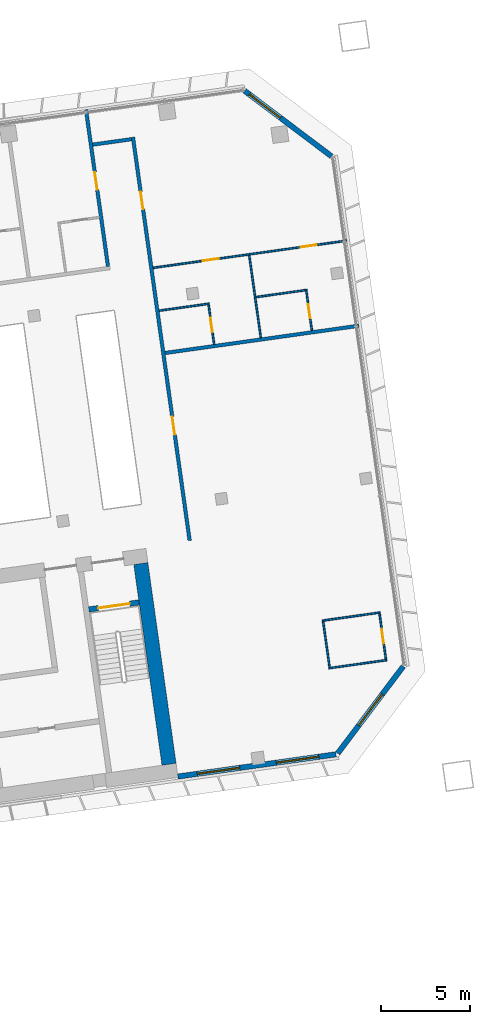
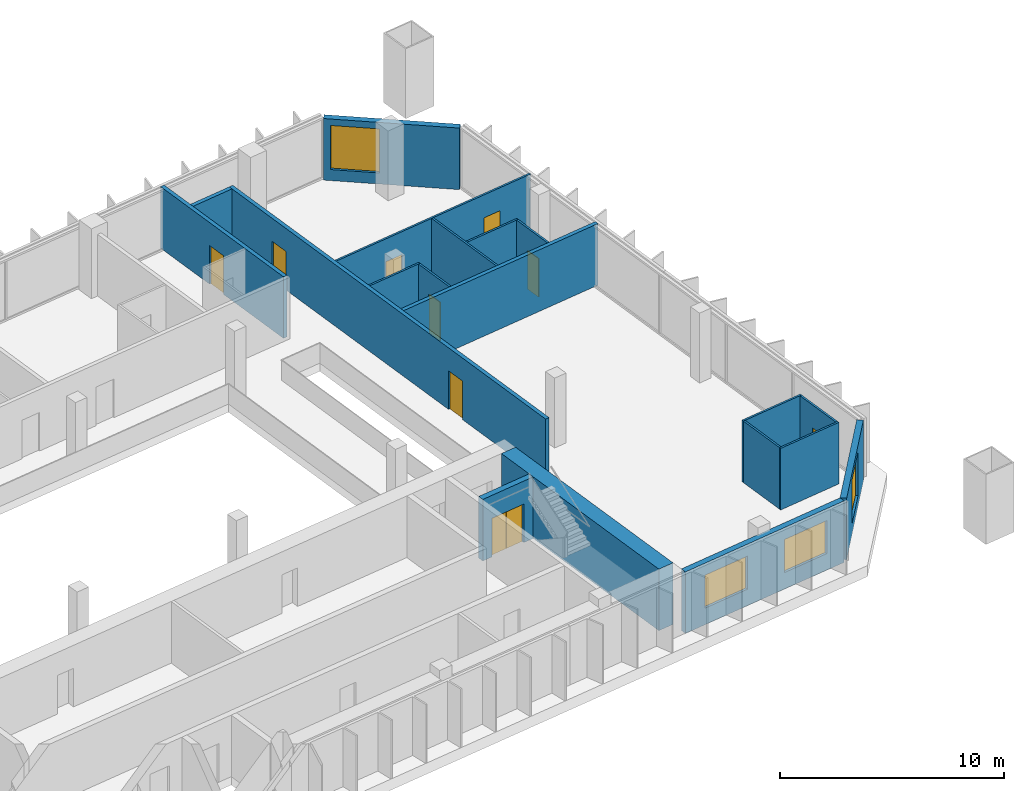
# One storey, part 21 of 25: 19 walls, 9 doors, 4 windows, 13 openings.
"""IFC4 building model written with IfcOpenShell, lengths in metres."""

import ifcopenshell
import ifcopenshell.guid

model = None  # the IFC model being written
_history = None  # IfcOwnerHistory: only IFC2X3 demands one
_inside = {}  # id of a spatial element -> (the spatial element, [elements in it])
_under = {}  # id of a project, library or spatial element -> (it, [spatial elements below it])
_declared = {}  # id of a project -> (the project, [libraries it declares])
_typed = {}  # id of a type object -> (the type object, [elements of that type])
_made_of = {}  # id of a material, layer set ... -> (it, [elements and type objects made of it])


def new_model(schema):
    """Start an empty IFC model of exactly this schema.

    Asked for "IFC4X3", IfcOpenShell would pick the latest addendum, in which some entities
    have other attributes; the version numbers below select the first issue.
    IFC2X3 requires an IfcOwnerHistory on every rooted entity: one is made here for all.
    """
    global model, _history
    if schema == "IFC4X3":
        model = ifcopenshell.file(schema_version=(4, 3, 0, 0))
    else:
        model = ifcopenshell.file(schema=schema)
    _inside.clear()
    _under.clear()
    _declared.clear()
    _typed.clear()
    _made_of.clear()
    _history = None
    if model.schema == "IFC2X3":
        org = make("IfcOrganization", Name="unknown")
        user = make(
            "IfcPersonAndOrganization",
            ThePerson=make("IfcPerson", FamilyName="unknown"),
            TheOrganization=org,
        )
        app = make(
            "IfcApplication",
            ApplicationDeveloper=org,
            Version="unknown",
            ApplicationFullName="unknown",
            ApplicationIdentifier="unknown",
        )
        _history = make(
            "IfcOwnerHistory",
            OwningUser=user,
            OwningApplication=app,
            ChangeAction="ADDED",
            CreationDate=0,
        )
    return model


def make(cls, **values):
    """One entity of the class cls with the attributes given. An attribute that is None is left unset."""
    return model.create_entity(
        cls, **{name: value for name, value in values.items() if value is not None}
    )


def rooted(cls, **values):
    """An entity with a GlobalId (a new one), such as an element, a storey or a relation."""
    return make(cls, GlobalId=ifcopenshell.guid.new(), OwnerHistory=_history, **values)


def si_unit(unit_type, name, prefix=None):
    """IfcSIUnit, for example si_unit("LENGTHUNIT", "METRE", prefix="MILLI")."""
    return make("IfcSIUnit", UnitType=unit_type, Prefix=prefix, Name=name)


def assignment(units):
    """IfcUnitAssignment: the units of a project."""
    return None if units is None else make("IfcUnitAssignment", Units=units)


def point(xyz):
    """IfcCartesianPoint."""
    return None if xyz is None else make("IfcCartesianPoint", Coordinates=xyz)


def direction(xyz):
    """IfcDirection."""
    return None if xyz is None else make("IfcDirection", DirectionRatios=xyz)


def frame(location, z_axis=None, x_axis=None):
    """IfcAxis2Placement3D, a coordinate frame: its origin and axes. An axis left out is left unset."""
    return make(
        "IfcAxis2Placement3D",
        Location=point(location),
        Axis=direction(z_axis),
        RefDirection=direction(x_axis),
    )


def frame_2d(location, x_axis=None):
    """IfcAxis2Placement2D, a coordinate frame in the plane: its origin and x axis."""
    return make(
        "IfcAxis2Placement2D", Location=point(location), RefDirection=direction(x_axis)
    )


def origin():
    """The frame at (0, 0, 0) with its axes left unset."""
    return frame((0.0, 0.0, 0.0))


def place(relative_to, where):
    """IfcLocalPlacement: puts the frame where relative to a parent placement (None: the world)."""
    return make(
        "IfcLocalPlacement", PlacementRelTo=relative_to, RelativePlacement=where
    )


def context(
    kind, dimensions, precision=None, world=None, true_north=None, identifier=None
):
    """IfcGeometricRepresentationContext, for example the 3D "Model" context."""
    return make(
        "IfcGeometricRepresentationContext",
        ContextIdentifier=identifier,
        ContextType=kind,
        CoordinateSpaceDimension=dimensions,
        Precision=precision,
        WorldCoordinateSystem=world,
        TrueNorth=true_north,
    )


def subcontext(parent, identifier, kind, view, scale=None):
    """IfcGeometricRepresentationSubContext, for example "Body" below "Model"."""
    return make(
        "IfcGeometricRepresentationSubContext",
        ContextIdentifier=identifier,
        ContextType=kind,
        ParentContext=parent,
        TargetScale=scale,
        TargetView=view,
    )


def project(units=None, contexts=None):
    """IfcProject with its units and contexts."""
    return rooted(
        "IfcProject",
        Name="project",
        RepresentationContexts=contexts,
        UnitsInContext=assignment(units),
    )


def spatial(cls, under=None, at=None, **own):
    """A site, building, storey or space (cls), placed at a placement, below another one or the project."""
    s = rooted(cls, ObjectPlacement=at, **own)
    if under is not None:
        _under.setdefault(under.id(), (under, []))[1].append(s)
    return s


def profile(cls, at=None, kind="AREA", **sizes):
    """A parametric profile (cls). Its sizes go by their IFC names, for example OverallWidth=200.0."""
    return make(cls, ProfileType=kind, Position=at, **sizes)


def rectangle(**sizes):
    """IfcRectangleProfileDef."""
    return profile("IfcRectangleProfileDef", **sizes)


def extrude(swept, where, along, depth):
    """IfcExtrudedAreaSolid: the profile swept, set in the frame where, extruded along a direction by depth."""
    return make(
        "IfcExtrudedAreaSolid",
        SweptArea=swept,
        Position=where,
        ExtrudedDirection=direction(along),
        Depth=depth,
    )


def shape(context_of_items, identifier, shape_type, items):
    """IfcShapeRepresentation: the items that make up one representation, for example the "Body"."""
    return make(
        "IfcShapeRepresentation",
        ContextOfItems=context_of_items,
        RepresentationIdentifier=identifier,
        RepresentationType=shape_type,
        Items=items,
    )


def material(Name=None, Category=None):
    """IfcMaterial."""
    return make("IfcMaterial", Name=Name, Category=Category)


def layer(
    of_material, thickness, ventilated=None, Name=None, Category=None, Priority=None
):
    """IfcMaterialLayer: one layer of a wall or slab, of a material (None: an air gap)."""
    return make(
        "IfcMaterialLayer",
        Material=of_material,
        LayerThickness=thickness,
        IsVentilated=ventilated,
        Name=Name,
        Category=Category,
        Priority=Priority,
    )


def layer_set(layers, Name=None):
    """IfcMaterialLayerSet."""
    return make("IfcMaterialLayerSet", MaterialLayers=layers, LayerSetName=Name)


def made_of(thing, what):
    """Note that an element or type object is made of a material, layer set ...; save() writes the relation."""
    if what is not None:
        _made_of.setdefault(what.id(), (what, []))[1].append(thing)
    return thing


def type_object(cls, material=None, **own):
    """A type object (cls), such as IfcWallType, which elements share."""
    return made_of(rooted(cls, **own), material)


def element(
    cls,
    number,
    at=None,
    inside=None,
    cuts=None,
    type_object=None,
    material=None,
    context=None,
    identifier="Body",
    shape_type=None,
    held_by="IfcProductDefinitionShape",
    body=None,
    shapes=None,
    **own,
):
    """One element of the class cls, such as IfcWall. Its Tag is "e" and its number.

    at: its placement. inside: the storey or other place that contains it. cuts: it is an
    opening in that element (IfcRelVoidsElement). A single representation is given by context,
    identifier, shape_type and body (its items); several are given by shapes. held_by: the class
    of the entity that holds the representations. save() writes the other relations.
    """
    e = rooted(cls, Tag="e%d" % number, ObjectPlacement=at, **own)
    if body is not None:
        shapes = [shape(context, identifier, shape_type, body)]
    if shapes is not None:
        e.Representation = make(held_by, Representations=shapes)
    if inside is not None:
        _inside.setdefault(inside.id(), (inside, []))[1].append(e)
    if cuts is not None:
        rooted(
            "IfcRelVoidsElement", RelatingBuildingElement=cuts, RelatedOpeningElement=e
        )
    if type_object is not None:
        _typed.setdefault(type_object.id(), (type_object, []))[1].append(e)
    return made_of(e, material)


def fill(opening, filler):
    """IfcRelFillsElement: the door or window that sits in an opening."""
    return rooted(
        "IfcRelFillsElement",
        RelatingOpeningElement=opening,
        RelatedBuildingElement=filler,
    )


def aggregate(whole, parts):
    """IfcRelAggregates: a whole, such as a stair, and the parts it consists of."""
    return rooted("IfcRelAggregates", RelatingObject=whole, RelatedObjects=parts)


def save(model, path):
    """Write the relations noted so far, then the file.

    IfcRelAggregates (storeys below a building ...), IfcRelContainedInSpatialStructure (elements
    in a storey), IfcRelDefinesByType, IfcRelAssociatesMaterial and IfcRelDeclares: one each for
    every whole, place, type object, material and project.
    """
    for whole, parts in _under.values():
        aggregate(whole, parts)
    for where, things in _inside.values():
        rooted(
            "IfcRelContainedInSpatialStructure",
            RelatedElements=things,
            RelatingStructure=where,
        )
    for kind, things in _typed.values():
        rooted("IfcRelDefinesByType", RelatedObjects=things, RelatingType=kind)
    for what, things in _made_of.values():
        rooted("IfcRelAssociatesMaterial", RelatedObjects=things, RelatingMaterial=what)
    for by, libraries in _declared.values():
        rooted("IfcRelDeclares", RelatingContext=by, RelatedDefinitions=libraries)
    model.write(path)


model = new_model("IFC4")

# Units and contexts
model_context = context("Model", 3, precision=1e-05, world=origin(), true_north=direction((0.0, 1.0)))
body_context = subcontext(model_context, "Body", "Model", "MODEL_VIEW")
ifc_project = project(units=[si_unit("LENGTHUNIT", "METRE"), si_unit("AREAUNIT", "SQUARE_METRE"), si_unit("VOLUMEUNIT", "CUBIC_METRE"), si_unit("PLANEANGLEUNIT", "RADIAN"), si_unit("MASSUNIT", "GRAM", prefix="KILO")], contexts=[model_context])

# Site, building, storey
site_placement = place(None, origin())
site = spatial("IfcSite", under=ifc_project, at=site_placement, CompositionType="ELEMENT")
building_placement = place(site_placement, origin())
building = spatial("IfcBuilding", under=site, at=building_placement, Name="Mirante Cascada Hotel Towers", CompositionType="ELEMENT")
storey_placement = place(building_placement, frame((0.0, 0.0, 129.1)))
storey = spatial("IfcBuildingStorey", under=building, at=storey_placement, Name="L29", CompositionType="ELEMENT", Elevation=129.1)

# Walls
ifc_material_1 = material(Name="Fire-rated plasterboard on metal studs")
ifc_layer_1 = layer(ifc_material_1, 0.2)
ifc_layer_set_1 = layer_set([ifc_layer_1], Name="Compartment wall 200 EI 120")
wall_type_1 = type_object("IfcWallType", Name="Compartment wall 200 EI 120", PredefinedType="PARTITIONING", material=ifc_layer_set_1)
wall_1_placement = place(storey_placement, frame((89.7337, 11.2758, 0.0), z_axis=(0.0, 0.0, 1.0), x_axis=(0.990268, 0.1391733, 0.0)))
element("IfcWall", 1, at=wall_1_placement, inside=storey, type_object=wall_type_1, Name="Wall 2-L29-08", PredefinedType="PARTITIONING", context=body_context, shape_type="SweptSolid", body=[
    extrude(rectangle(XDim=11.0, YDim=0.2, at=frame_2d((5.5, 0.0))), origin(), (0.0, 0.0, 1.0), 3.35),
])
wall_2_placement = place(storey_placement, frame((87.8424, 23.2963, 0.0), z_axis=(0.0, 0.0, 1.0), x_axis=(-0.990267, -0.139181, 0.0)))
element("IfcWall", 2, at=wall_2_placement, inside=storey, type_object=wall_type_1, Name="Wall 2-L29-21", PredefinedType="PARTITIONING", context=body_context, shape_type="SweptSolid", body=[
    extrude(rectangle(XDim=2.2, YDim=0.2, at=frame_2d((1.1, 0.0))), origin(), (0.0, 0.0, 1.0), 3.35),
])

# Wall, opening, door
wall_3_placement = place(storey_placement, frame((85.2864, 24.9567, 0.0), z_axis=(0.0, 0.0, 1.0), x_axis=(0.1391684, -0.9902687, 0.0)))
wall_3 = element("IfcWall", 3, at=wall_3_placement, inside=storey, type_object=wall_type_1, Name="Wall 2-L29-43", PredefinedType="PARTITIONING", context=body_context, shape_type="SweptSolid", body=[
    extrude(rectangle(XDim=8.9, YDim=0.2, at=frame_2d((4.45, 0.0))), origin(), (0.0, 0.0, 1.0), 3.35),
])
opening_1_placement = place(wall_3_placement, frame((3.55, 0.0, 0.0)))
opening_1 = element("IfcOpeningElement", 4, at=opening_1_placement, cuts=wall_3, Name="Opening D2-L29-24", PredefinedType="OPENING", context=body_context, shape_type="SweptSolid", body=[
    extrude(rectangle(XDim=1.0, YDim=2.1, at=frame_2d((0.5, 1.05))), frame((0.0, 0.1, 0.0), z_axis=(0.0, -1.0, 0.0), x_axis=(1.0, 0.0, 0.0)), (0.0, 0.0, 1.0), 0.2),
])
ifc_material_2 = material(Name="Fire-rated timber door leaf", Category="wood")
door_type_1 = type_object("IfcDoorType", Name="Entrance door DG1 1000x2100 EI 60", OperationType="SINGLE_SWING_LEFT", PredefinedType="DOOR", material=ifc_material_2)
door_1_placement = place(opening_1_placement, frame((1.0, 0.0, 0.0), z_axis=(0.0, 0.0, 1.0), x_axis=(-1.0, 0.0, 0.0)))
door_1 = element("IfcDoor", 5, at=door_1_placement, inside=storey, type_object=door_type_1, Name="Door D2-L29-24", OperationType="SINGLE_SWING_RIGHT", OverallHeight=2.1, OverallWidth=1.0, PredefinedType="DOOR", context=body_context, shape_type="SweptSolid", body=[
    extrude(rectangle(XDim=1.0, YDim=2.1, at=frame_2d((0.5, 1.05))), frame((0.0, 0.025, 0.0), z_axis=(0.0, -1.0, 0.0), x_axis=(1.0, 0.0, 0.0)), (0.0, 0.0, 1.0), 0.05),
])
fill(opening_1, door_1)

# Wall, openings, doors
wall_4_placement = place(storey_placement, frame((91.1145, 0.7321, 0.0), z_axis=(0.0, 0.0, 1.0), x_axis=(-0.1391706, 0.9902684, 0.0)))
wall_4 = element("IfcWall", 6, at=wall_4_placement, inside=storey, type_object=wall_type_1, Name="Wall 2-L29-44", PredefinedType="PARTITIONING", context=body_context, shape_type="SweptSolid", body=[
    extrude(rectangle(XDim=22.9, YDim=0.2, at=frame_2d((11.45, 0.0))), origin(), (0.0, 0.0, 1.0), 3.35),
])
opening_2_placement = place(wall_4_placement, frame((6.0167, 0.0, 0.0)))
opening_2 = element("IfcOpeningElement", 7, at=opening_2_placement, cuts=wall_4, Name="Opening D2-L29-25", PredefinedType="OPENING", context=body_context, shape_type="SweptSolid", body=[
    extrude(rectangle(XDim=1.0, YDim=2.1, at=frame_2d((0.5, 1.05))), frame((0.0, 0.1, 0.0), z_axis=(0.0, -1.0, 0.0), x_axis=(1.0, 0.0, 0.0)), (0.0, 0.0, 1.0), 0.2),
])
opening_3_placement = place(wall_4_placement, frame((18.8, 0.0, 0.0)))
opening_3 = element("IfcOpeningElement", 8, at=opening_3_placement, cuts=wall_4, Name="Opening D2-L29-26", PredefinedType="OPENING", context=body_context, shape_type="SweptSolid", body=[
    extrude(rectangle(XDim=1.0, YDim=2.1, at=frame_2d((0.5, 1.05))), frame((0.0, 0.1, 0.0), z_axis=(0.0, -1.0, 0.0), x_axis=(1.0, 0.0, 0.0)), (0.0, 0.0, 1.0), 0.2),
])
door_2_placement = place(opening_2_placement, frame((1.0, 0.0, 0.0), z_axis=(0.0, 0.0, 1.0), x_axis=(-1.0, 0.0, 0.0)))
door_2 = element("IfcDoor", 9, at=door_2_placement, inside=storey, type_object=door_type_1, Name="Door D2-L29-25", OperationType="SINGLE_SWING_RIGHT", OverallHeight=2.1, OverallWidth=1.0, PredefinedType="DOOR", context=body_context, shape_type="SweptSolid", body=[
    extrude(rectangle(XDim=1.0, YDim=2.1, at=frame_2d((0.5, 1.05))), frame((0.0, 0.025, 0.0), z_axis=(0.0, -1.0, 0.0), x_axis=(1.0, 0.0, 0.0)), (0.0, 0.0, 1.0), 0.05),
])
fill(opening_2, door_2)
door_3_placement = place(opening_3_placement, frame((1.0, 0.0, 0.0), z_axis=(0.0, 0.0, 1.0), x_axis=(-1.0, 0.0, 0.0)))
door_3 = element("IfcDoor", 10, at=door_3_placement, inside=storey, type_object=door_type_1, Name="Door D2-L29-26", OperationType="SINGLE_SWING_RIGHT", OverallHeight=2.1, OverallWidth=1.0, PredefinedType="DOOR", context=body_context, shape_type="SweptSolid", body=[
    extrude(rectangle(XDim=1.0, YDim=2.1, at=frame_2d((0.5, 1.05))), frame((0.0, 0.025, 0.0), z_axis=(0.0, -1.0, 0.0), x_axis=(1.0, 0.0, 0.0)), (0.0, 0.0, 1.0), 0.05),
])
fill(opening_3, door_3)

# Walls
ifc_material_3 = material(Name="Plasterboard on metal studs")
ifc_layer_2 = layer(ifc_material_3, 0.1)
ifc_layer_set_2 = layer_set([ifc_layer_2], Name="Partition 100")
wall_type_2 = type_object("IfcWallType", Name="Partition 100", PredefinedType="PARTITIONING", material=ifc_layer_set_2)
wall_5_placement = place(storey_placement, frame((102.2079, -5.9894, 0.0), z_axis=(0.0, 0.0, 1.0), x_axis=(-0.9902664, -0.1391852, 0.0)))
element("IfcWall", 11, at=wall_5_placement, inside=storey, type_object=wall_type_2, Name="Wall 2-L29-01", PredefinedType="PARTITIONING", context=body_context, shape_type="SweptSolid", body=[
    extrude(rectangle(XDim=3.2999, YDim=0.1, at=frame_2d((1.65, 0.0))), origin(), (0.0, 0.0, 1.0), 3.35),
])
wall_6_placement = place(storey_placement, frame((98.5643, -3.775, 0.0), z_axis=(0.0, 0.0, 1.0), x_axis=(0.990267, 0.139181, 0.0)))
element("IfcWall", 12, at=wall_6_placement, inside=storey, type_object=wall_type_2, Name="Wall 2-L29-02", PredefinedType="PARTITIONING", context=body_context, shape_type="SweptSolid", body=[
    extrude(rectangle(XDim=3.3, YDim=0.1, at=frame_2d((1.65, 0.0))), origin(), (0.0, 0.0, 1.0), 3.35),
])
wall_7_placement = place(storey_placement, frame((92.2219, 14.0491, 0.0), z_axis=(0.0, 0.0, 1.0), x_axis=(-0.9902697, -0.1391613, 0.0)))
element("IfcWall", 13, at=wall_7_placement, inside=storey, type_object=wall_type_2, Name="Wall 2-L29-09", PredefinedType="PARTITIONING", context=body_context, shape_type="SweptSolid", body=[
    extrude(rectangle(XDim=2.8499, YDim=0.1, at=frame_2d((1.425, 0.0))), origin(), (0.0, 0.0, 1.0), 3.35),
])
wall_8_placement = place(storey_placement, frame((94.8461, 14.4179, 0.0), z_axis=(0.0, 0.0, 1.0), x_axis=(0.9902683, 0.1391714, 0.0)))
element("IfcWall", 14, at=wall_8_placement, inside=storey, type_object=wall_type_2, Name="Wall 2-L29-10", PredefinedType="PARTITIONING", context=body_context, shape_type="SweptSolid", body=[
    extrude(rectangle(XDim=2.9, YDim=0.1, at=frame_2d((1.45, 0.0))), origin(), (0.0, 0.0, 1.0), 3.35),
])

# Wall, openings, doors
wall_9_placement = place(storey_placement, frame((99.954, 17.5931, 0.0), z_axis=(0.0, 0.0, 1.0), x_axis=(-0.9902682, -0.1391721, 0.0)))
wall_9 = element("IfcWall", 15, at=wall_9_placement, inside=storey, type_object=wall_type_2, Name="Wall 2-L29-11", PredefinedType="PARTITIONING", context=body_context, shape_type="SweptSolid", body=[
    extrude(rectangle(XDim=11.0001, YDim=0.1, at=frame_2d((5.5, 0.0))), origin(), (0.0, 0.0, 1.0), 3.35),
])
opening_4_placement = place(wall_9_placement, frame((7.275, 0.0, 0.0)))
opening_4 = element("IfcOpeningElement", 16, at=opening_4_placement, cuts=wall_9, Name="Opening D2-L29-04", PredefinedType="OPENING", context=body_context, shape_type="SweptSolid", body=[
    extrude(rectangle(XDim=0.9, YDim=2.1, at=frame_2d((0.45, 1.05))), frame((0.0, 0.05, 0.0), z_axis=(0.0, -1.0, 0.0), x_axis=(1.0, 0.0, 0.0)), (0.0, 0.0, 1.0), 0.1),
])
opening_5_placement = place(wall_9_placement, frame((1.725, 0.0, 0.0)))
opening_5 = element("IfcOpeningElement", 17, at=opening_5_placement, cuts=wall_9, Name="Opening D2-L29-05", PredefinedType="OPENING", context=body_context, shape_type="SweptSolid", body=[
    extrude(rectangle(XDim=0.9, YDim=2.1, at=frame_2d((0.45, 1.05))), frame((0.0, 0.05, 0.0), z_axis=(0.0, -1.0, 0.0), x_axis=(1.0, 0.0, 0.0)), (0.0, 0.0, 1.0), 0.1),
])
ifc_material_4 = material(Name="Timber door leaf", Category="wood")
door_type_2 = type_object("IfcDoorType", Name="Room door DG3 900x2100", OperationType="SINGLE_SWING_LEFT", PredefinedType="DOOR", material=ifc_material_4)
door_4_placement = place(opening_4_placement, frame((0.9, 0.0, 0.0), z_axis=(0.0, 0.0, 1.0), x_axis=(-1.0, 0.0, 0.0)))
door_4 = element("IfcDoor", 18, at=door_4_placement, inside=storey, type_object=door_type_2, Name="Door D2-L29-04", OperationType="SINGLE_SWING_RIGHT", OverallHeight=2.1, OverallWidth=0.9, PredefinedType="DOOR", context=body_context, shape_type="SweptSolid", body=[
    extrude(rectangle(XDim=0.9, YDim=2.1, at=frame_2d((0.45, 1.05))), frame((0.0, 0.025, 0.0), z_axis=(0.0, -1.0, 0.0), x_axis=(1.0, 0.0, 0.0)), (0.0, 0.0, 1.0), 0.05),
])
fill(opening_4, door_4)
door_5_placement = place(opening_5_placement, frame((0.9, 0.0, 0.0), z_axis=(0.0, 0.0, 1.0), x_axis=(-1.0, 0.0, 0.0)))
door_5 = element("IfcDoor", 19, at=door_5_placement, inside=storey, type_object=door_type_2, Name="Door D2-L29-05", OperationType="SINGLE_SWING_RIGHT", OverallHeight=2.1, OverallWidth=0.9, PredefinedType="DOOR", context=body_context, shape_type="SweptSolid", body=[
    extrude(rectangle(XDim=0.9, YDim=2.1, at=frame_2d((0.45, 1.05))), frame((0.0, 0.025, 0.0), z_axis=(0.0, -1.0, 0.0), x_axis=(1.0, 0.0, 0.0)), (0.0, 0.0, 1.0), 0.05),
])
fill(opening_5, door_5)

# Wall, opening, door
wall_10_placement = place(storey_placement, frame((92.1794, 13.9926, 0.0), z_axis=(0.0, 0.0, 1.0), x_axis=(0.1391561, -0.9902705, 0.0)))
wall_10 = element("IfcWall", 20, at=wall_10_placement, inside=storey, type_object=wall_type_2, Name="Wall 2-L29-45", PredefinedType="PARTITIONING", context=body_context, shape_type="SweptSolid", body=[
    extrude(rectangle(XDim=2.25, YDim=0.1, at=frame_2d((1.125, 0.0))), origin(), (0.0, 0.0, 1.0), 3.35),
])
opening_6_placement = place(wall_10_placement, frame((0.75, 0.0, 0.0)))
opening_6 = element("IfcOpeningElement", 21, at=opening_6_placement, cuts=wall_10, Name="Opening D2-L29-27", PredefinedType="OPENING", context=body_context, shape_type="SweptSolid", body=[
    extrude(rectangle(XDim=0.8, YDim=2.1, at=frame_2d((0.4, 1.05))), frame((0.0, 0.05, 0.0), z_axis=(0.0, -1.0, 0.0), x_axis=(1.0, 0.0, 0.0)), (0.0, 0.0, 1.0), 0.1),
])
ifc_material_5 = material(Name="Timber door leaf", Category="wood")
door_type_3 = type_object("IfcDoorType", Name="Bathroom door DG4 800x2100", OperationType="SINGLE_SWING_LEFT", PredefinedType="DOOR", material=ifc_material_5)
door_6_placement = place(opening_6_placement, frame((0.8, 0.0, 0.0), z_axis=(0.0, 0.0, 1.0), x_axis=(-1.0, 0.0, 0.0)))
door_6 = element("IfcDoor", 22, at=door_6_placement, inside=storey, type_object=door_type_3, Name="Door D2-L29-27", OperationType="SINGLE_SWING_RIGHT", OverallHeight=2.1, OverallWidth=0.8, PredefinedType="DOOR", context=body_context, shape_type="SweptSolid", body=[
    extrude(rectangle(XDim=0.8, YDim=2.1, at=frame_2d((0.4, 1.05))), frame((0.0, 0.025, 0.0), z_axis=(0.0, -1.0, 0.0), x_axis=(1.0, 0.0, 0.0)), (0.0, 0.0, 1.0), 0.05),
])
fill(opening_6, door_6)

# Walls
wall_11_placement = place(storey_placement, frame((95.1167, 12.1333, 0.0), z_axis=(0.0, 0.0, 1.0), x_axis=(-0.1391701, 0.9902685, 0.0)))
element("IfcWall", 23, at=wall_11_placement, inside=storey, type_object=wall_type_2, Name="Wall 2-L29-46", PredefinedType="PARTITIONING", context=body_context, shape_type="SweptSolid", body=[
    extrude(rectangle(XDim=4.6835, YDim=0.1, at=frame_2d((2.3418, 0.0))), origin(), (0.0, 0.0, 1.0), 3.35),
])
wall_12_placement = place(storey_placement, frame((98.6208, -3.8175, 0.0), z_axis=(0.0, 0.0, 1.0), x_axis=(0.1391541, -0.9902707, 0.0)))
element("IfcWall", 24, at=wall_12_placement, inside=storey, type_object=wall_type_2, Name="Wall 2-L29-47", PredefinedType="PARTITIONING", context=body_context, shape_type="SweptSolid", body=[
    extrude(rectangle(XDim=2.6, YDim=0.1, at=frame_2d((1.3, 0.0))), origin(), (0.0, 0.0, 1.0), 3.35),
])

# Wall, opening, door
wall_13_placement = place(storey_placement, frame((97.9885, 12.5369, 0.0), z_axis=(0.0, 0.0, 1.0), x_axis=(-0.1391561, 0.9902705, 0.0)))
wall_13 = element("IfcWall", 25, at=wall_13_placement, inside=storey, type_object=wall_type_2, Name="Wall 2-L29-48", PredefinedType="PARTITIONING", context=body_context, shape_type="SweptSolid", body=[
    extrude(rectangle(XDim=2.25, YDim=0.1, at=frame_2d((1.125, 0.0))), origin(), (0.0, 0.0, 1.0), 3.35),
])
opening_7_placement = place(wall_13_placement, frame((0.7, 0.0, 0.0)))
opening_7 = element("IfcOpeningElement", 26, at=opening_7_placement, cuts=wall_13, Name="Opening D2-L29-28", PredefinedType="OPENING", context=body_context, shape_type="SweptSolid", body=[
    extrude(rectangle(XDim=0.8, YDim=2.1, at=frame_2d((0.4, 1.05))), frame((0.0, 0.05, 0.0), z_axis=(0.0, -1.0, 0.0), x_axis=(1.0, 0.0, 0.0)), (0.0, 0.0, 1.0), 0.1),
])
door_7_placement = place(opening_7_placement, origin())
door_7 = element("IfcDoor", 27, at=door_7_placement, inside=storey, type_object=door_type_3, Name="Door D2-L29-28", OperationType="SINGLE_SWING_LEFT", OverallHeight=2.1, OverallWidth=0.8, PredefinedType="DOOR", context=body_context, shape_type="SweptSolid", body=[
    extrude(rectangle(XDim=0.8, YDim=2.1, at=frame_2d((0.4, 1.05))), frame((0.0, 0.025, 0.0), z_axis=(0.0, -1.0, 0.0), x_axis=(1.0, 0.0, 0.0)), (0.0, 0.0, 1.0), 0.05),
])
fill(opening_7, door_7)

wall_14_placement = place(storey_placement, frame((101.7896, -3.3722, 0.0), z_axis=(0.0, 0.0, 1.0), x_axis=(0.1391918, -0.9902654, 0.0)))
wall_14 = element("IfcWall", 28, at=wall_14_placement, inside=storey, type_object=wall_type_2, Name="Wall 2-L29-49", PredefinedType="PARTITIONING", context=body_context, shape_type="SweptSolid", body=[
    extrude(rectangle(XDim=2.6, YDim=0.1, at=frame_2d((1.3, 0.0))), origin(), (0.0, 0.0, 1.0), 3.35),
])
opening_8_placement = place(wall_14_placement, frame((0.9, 0.0, 0.0)))
opening_8 = element("IfcOpeningElement", 29, at=opening_8_placement, cuts=wall_14, Name="Opening D2-L29-29", PredefinedType="OPENING", context=body_context, shape_type="SweptSolid", body=[
    extrude(rectangle(XDim=0.8, YDim=2.1, at=frame_2d((0.4, 1.05))), frame((0.0, 0.05, 0.0), z_axis=(0.0, -1.0, 0.0), x_axis=(1.0, 0.0, 0.0)), (0.0, 0.0, 1.0), 0.1),
])
door_8_placement = place(opening_8_placement, frame((0.8, 0.0, 0.0), z_axis=(0.0, 0.0, 1.0), x_axis=(-1.0, 0.0, 0.0)))
door_8 = element("IfcDoor", 30, at=door_8_placement, inside=storey, type_object=door_type_3, Name="Door D2-L29-29", OperationType="SINGLE_SWING_RIGHT", OverallHeight=2.1, OverallWidth=0.8, PredefinedType="DOOR", context=body_context, shape_type="SweptSolid", body=[
    extrude(rectangle(XDim=0.8, YDim=2.1, at=frame_2d((0.4, 1.05))), frame((0.0, 0.025, 0.0), z_axis=(0.0, -1.0, 0.0), x_axis=(1.0, 0.0, 0.0)), (0.0, 0.0, 1.0), 0.05),
])
fill(opening_8, door_8)

# Wall, openings, windows
ifc_material_6 = material(Name="Precast concrete C40/50", Category="concrete")
ifc_layer_3 = layer(ifc_material_6, 0.3)
ifc_layer_set_3 = layer_set([ifc_layer_3], Name="Precast concrete C40/50 cladding wall 300")
wall_type_3 = type_object("IfcWallType", Name="Precast concrete C40/50 cladding wall 300", PredefinedType="STANDARD", material=ifc_layer_set_3)
wall_15_placement = place(storey_placement, frame((90.4551, -12.5388, 0.0), z_axis=(0.0, 0.0, 1.0), x_axis=(0.9902678, 0.1391749, 0.0)))
wall_15 = element("IfcWall", 31, at=wall_15_placement, inside=storey, type_object=wall_type_3, Name="Rear cladding wall T2 L29 1", PredefinedType="STANDARD", context=body_context, shape_type="SweptSolid", body=[
    extrude(rectangle(XDim=8.9758, YDim=0.3, at=frame_2d((4.4879, 0.0))), origin(), (0.0, 0.0, 1.0), 3.35),
])
opening_9_placement = place(wall_15_placement, frame((1.1012, 0.0, 0.9)))
opening_9 = element("IfcOpeningElement", 32, at=opening_9_placement, cuts=wall_15, Name="Opening W2-29-01", PredefinedType="OPENING", context=body_context, shape_type="SweptSolid", body=[
    extrude(rectangle(XDim=2.4, YDim=1.8, at=frame_2d((1.2, 0.9))), frame((0.0, 0.15, 0.0), z_axis=(0.0, -1.0, 0.0), x_axis=(1.0, 0.0, 0.0)), (0.0, 0.0, 1.0), 0.3),
])
opening_10_placement = place(wall_15_placement, frame((5.5923, 0.0, 0.9)))
opening_10 = element("IfcOpeningElement", 33, at=opening_10_placement, cuts=wall_15, Name="Opening W2-29-02", PredefinedType="OPENING", context=body_context, shape_type="SweptSolid", body=[
    extrude(rectangle(XDim=2.4, YDim=1.8, at=frame_2d((1.2, 0.9))), frame((0.0, 0.15, 0.0), z_axis=(0.0, -1.0, 0.0), x_axis=(1.0, 0.0, 0.0)), (0.0, 0.0, 1.0), 0.3),
])
ifc_material_7 = material(Name="Aluminium frame with clear double glazing", Category="aluminium")
window_type_1 = type_object("IfcWindowType", Name="Punched window 2400x1800", PartitioningType="DOUBLE_PANEL_VERTICAL", PredefinedType="WINDOW", material=ifc_material_7)
window_1_placement = place(opening_9_placement, origin())
window_1 = element("IfcWindow", 34, at=window_1_placement, inside=storey, type_object=window_type_1, Name="Window W2-29-01", OverallHeight=1.8, OverallWidth=2.4, PartitioningType="SINGLE_PANEL", PredefinedType="WINDOW", context=body_context, shape_type="SweptSolid", body=[
    extrude(rectangle(XDim=2.4, YDim=1.8, at=frame_2d((1.2, 0.9))), frame((0.0, 0.03, 0.0), z_axis=(0.0, -1.0, 0.0), x_axis=(1.0, 0.0, 0.0)), (0.0, 0.0, 1.0), 0.06),
])
fill(opening_9, window_1)
window_2_placement = place(opening_10_placement, origin())
window_2 = element("IfcWindow", 35, at=window_2_placement, inside=storey, type_object=window_type_1, Name="Window W2-29-02", OverallHeight=1.8, OverallWidth=2.4, PartitioningType="SINGLE_PANEL", PredefinedType="WINDOW", context=body_context, shape_type="SweptSolid", body=[
    extrude(rectangle(XDim=2.4, YDim=1.8, at=frame_2d((1.2, 0.9))), frame((0.0, 0.03, 0.0), z_axis=(0.0, -1.0, 0.0), x_axis=(1.0, 0.0, 0.0)), (0.0, 0.0, 1.0), 0.06),
])
fill(opening_10, window_2)

# Wall, opening, window
wall_16_placement = place(storey_placement, frame((99.4424, -11.2313, 0.0), z_axis=(0.0, 0.0, 1.0), x_axis=(0.6018194, 0.7986322, 0.0)))
wall_16 = element("IfcWall", 36, at=wall_16_placement, inside=storey, type_object=wall_type_3, Name="Corner cladding wall T2 L29 rear outer", PredefinedType="STANDARD", context=body_context, shape_type="SweptSolid", body=[
    extrude(rectangle(XDim=6.1155, YDim=0.3, at=frame_2d((3.0578, 0.0))), origin(), (0.0, 0.0, 1.0), 3.35),
])
opening_11_placement = place(wall_16_placement, frame((1.9576, 0.0, 0.6)))
opening_11 = element("IfcOpeningElement", 37, at=opening_11_placement, cuts=wall_16, Name="Opening W2-29-03", PredefinedType="OPENING", context=body_context, shape_type="SweptSolid", body=[
    extrude(rectangle(XDim=2.2, YDim=2.4, at=frame_2d((1.1, 1.2))), frame((0.0, 0.15, 0.0), z_axis=(0.0, -1.0, 0.0), x_axis=(1.0, 0.0, 0.0)), (0.0, 0.0, 1.0), 0.3),
])
ifc_material_8 = material(Name="Aluminium frame with clear double glazing", Category="aluminium")
window_type_2 = type_object("IfcWindowType", Name="Corner suite window 2200x2400", PartitioningType="DOUBLE_PANEL_VERTICAL", PredefinedType="WINDOW", material=ifc_material_8)
window_3_placement = place(opening_11_placement, origin())
window_3 = element("IfcWindow", 38, at=window_3_placement, inside=storey, type_object=window_type_2, Name="Window W2-29-03", OverallHeight=2.4, OverallWidth=2.2, PartitioningType="SINGLE_PANEL", PredefinedType="WINDOW", context=body_context, shape_type="SweptSolid", body=[
    extrude(rectangle(XDim=2.2, YDim=2.4, at=frame_2d((1.1, 1.2))), frame((0.0, 0.03, 0.0), z_axis=(0.0, -1.0, 0.0), x_axis=(1.0, 0.0, 0.0)), (0.0, 0.0, 1.0), 0.06),
])
fill(opening_11, window_3)

wall_17_placement = place(storey_placement, frame((99.0919, 22.3343, 0.0), z_axis=(0.0, 0.0, 1.0), x_axis=(-0.7986362, 0.6018141, 0.0)))
wall_17 = element("IfcWall", 39, at=wall_17_placement, inside=storey, type_object=wall_type_3, Name="Corner cladding wall T2 L29 outer front", PredefinedType="STANDARD", context=body_context, shape_type="SweptSolid", body=[
    extrude(rectangle(XDim=6.1157, YDim=0.3, at=frame_2d((3.0578, 0.0))), origin(), (0.0, 0.0, 1.0), 3.35),
])
opening_12_placement = place(wall_17_placement, frame((3.595, 0.0, 0.6)))
opening_12 = element("IfcOpeningElement", 40, at=opening_12_placement, cuts=wall_17, Name="Opening W2-29-04", PredefinedType="OPENING", context=body_context, shape_type="SweptSolid", body=[
    extrude(rectangle(XDim=2.2, YDim=2.4, at=frame_2d((1.1, 1.2))), frame((0.0, 0.15, 0.0), z_axis=(0.0, -1.0, 0.0), x_axis=(1.0, 0.0, 0.0)), (0.0, 0.0, 1.0), 0.3),
])
window_4_placement = place(opening_12_placement, origin())
window_4 = element("IfcWindow", 41, at=window_4_placement, inside=storey, type_object=window_type_2, Name="Window W2-29-04", OverallHeight=2.4, OverallWidth=2.2, PartitioningType="SINGLE_PANEL", PredefinedType="WINDOW", context=body_context, shape_type="SweptSolid", body=[
    extrude(rectangle(XDim=2.2, YDim=2.4, at=frame_2d((1.1, 1.2))), frame((0.0, 0.03, 0.0), z_axis=(0.0, -1.0, 0.0), x_axis=(1.0, 0.0, 0.0)), (0.0, 0.0, 1.0), 0.06),
])
fill(opening_12, window_4)

# Wall, opening, door
ifc_material_9 = material(Name="Concrete C50/60", Category="concrete")
ifc_layer_4 = layer(ifc_material_9, 0.3)
ifc_layer_set_4 = layer_set([ifc_layer_4], Name="RC core wall 300 C50/60")
wall_type_4 = type_object("IfcWallType", Name="RC core wall 300 C50/60", PredefinedType="SHEAR", material=ifc_layer_set_4)
wall_18_placement = place(storey_placement, frame((85.4489, -3.1441, 0.0), z_axis=(0.0, 0.0, 1.0), x_axis=(0.9902697, 0.1391613, 0.0)))
wall_18 = element("IfcWall", 42, at=wall_18_placement, inside=storey, type_object=wall_type_4, Name="Core wall T2:L29:11", PredefinedType="SHEAR", context=body_context, shape_type="SweptSolid", body=[
    extrude(rectangle(XDim=2.8499, YDim=0.3, at=frame_2d((1.425, 0.0))), origin(), (0.0, 0.0, 1.0), 3.35),
])
opening_13_placement = place(wall_18_placement, frame((0.525, 0.0, 0.0)))
opening_13 = element("IfcOpeningElement", 43, at=opening_13_placement, cuts=wall_18, Name="Opening D2-29-C17", PredefinedType="OPENING", context=body_context, shape_type="SweptSolid", body=[
    extrude(rectangle(XDim=1.8, YDim=2.1, at=frame_2d((0.9, 1.05))), frame((0.0, 0.15, 0.0), z_axis=(0.0, -1.0, 0.0), x_axis=(1.0, 0.0, 0.0)), (0.0, 0.0, 1.0), 0.3),
])
ifc_material_10 = material(Name="Hollow metal fire door leaf")
door_type_4 = type_object("IfcDoorType", Name="Double fire door 1800x2100 FD60", OperationType="DOUBLE_DOOR_SINGLE_SWING", PredefinedType="DOOR", material=ifc_material_10)
door_9_placement = place(opening_13_placement, frame((1.8, 0.0, 0.0), z_axis=(0.0, 0.0, 1.0), x_axis=(-1.0, 0.0, 0.0)))
door_9 = element("IfcDoor", 44, at=door_9_placement, inside=storey, type_object=door_type_4, Name="Stair door T2 L29 17", OperationType="DOUBLE_DOOR_SINGLE_SWING", OverallHeight=2.1, OverallWidth=1.8, PredefinedType="DOOR", context=body_context, shape_type="SweptSolid", body=[
    extrude(rectangle(XDim=0.895, YDim=2.1, at=frame_2d((0.4475, 1.05))), frame((0.0, 0.025, 0.0), z_axis=(0.0, -1.0, 0.0), x_axis=(1.0, 0.0, 0.0)), (0.0, 0.0, 1.0), 0.05),
    extrude(rectangle(XDim=0.895, YDim=2.1, at=frame_2d((1.3525, 1.05))), frame((0.0, 0.025, 0.0), z_axis=(0.0, -1.0, 0.0), x_axis=(1.0, 0.0, 0.0)), (0.0, 0.0, 1.0), 0.05),
])
fill(opening_13, door_9)

# Wall
ifc_material_11 = material(Name="Concrete C50/60", Category="concrete")
ifc_layer_5 = layer(ifc_material_11, 0.8)
ifc_layer_set_5 = layer_set([ifc_layer_5], Name="RC core wall 800 C50/60")
wall_type_5 = type_object("IfcWallType", Name="RC core wall 800 C50/60", PredefinedType="SHEAR", material=ifc_layer_set_5)
wall_19_placement = place(storey_placement, frame((89.9546, -11.8518, 0.0), z_axis=(0.0, 0.0, 1.0), x_axis=(-0.1391761, 0.9902677, 0.0)))
element("IfcWall", 45, at=wall_19_placement, inside=storey, type_object=wall_type_5, Name="Core wall T2:L29:4", PredefinedType="SHEAR", context=body_context, shape_type="SweptSolid", body=[
    extrude(rectangle(XDim=11.3999, YDim=0.8, at=frame_2d((5.7, 0.0))), origin(), (0.0, 0.0, 1.0), 3.35),
])

save(model, "model.ifc")
